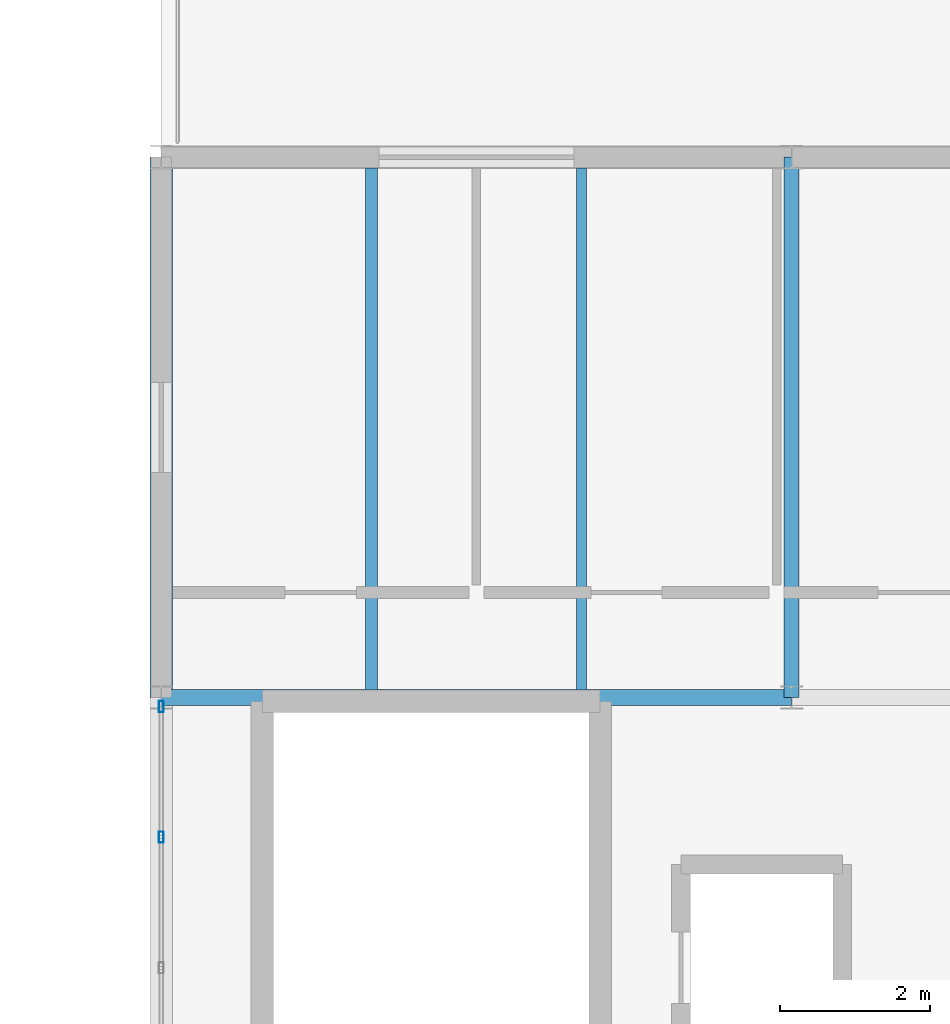
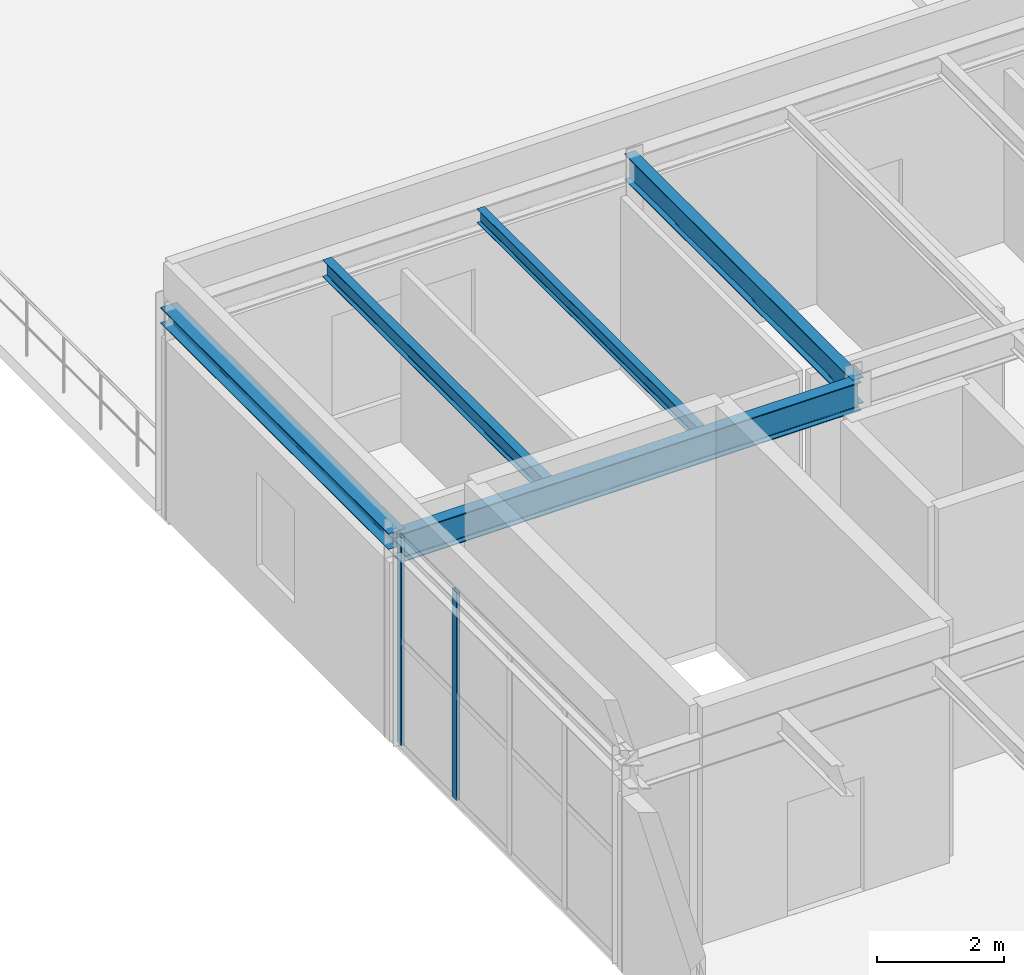
# One storey, part 61 of 77: 5 beams, 2 members, 1 element without a shape of its own.
"""IFC4 building model written with IfcOpenShell, lengths in metres."""

from ifc_helpers import new_model, si_unit, derived_unit, direction, frame, origin, origin_2d, place, context, subcontext, project, spatial, hollow_rectangle, i_section, extrude, material, material_profile, profile_set, type_object, element, aggregate, save


model = new_model("IFC4")

# Units and contexts
model_context = context("Model", 3, precision=1e-05, world=origin(), true_north=direction((0.0, 1.0)))
body_context = subcontext(model_context, "Body", "Model", "MODEL_VIEW")
ifc_project = project(units=[si_unit("LENGTHUNIT", "METRE"), si_unit("AREAUNIT", "SQUARE_METRE"), si_unit("VOLUMEUNIT", "CUBIC_METRE"), si_unit("PLANEANGLEUNIT", "RADIAN"), si_unit("MASSUNIT", "GRAM", prefix="KILO"), derived_unit("THERMALTRANSMITTANCEUNIT", [(si_unit("MASSUNIT", "GRAM", prefix="KILO"), 1), (si_unit("TIMEUNIT", "SECOND"), -3), (si_unit("THERMODYNAMICTEMPERATUREUNIT", "KELVIN"), -1)])], contexts=[model_context])

# Site, building, storey
site_placement = place(None, origin())
site = spatial("IfcSite", under=ifc_project, at=site_placement, CompositionType="ELEMENT")
building_placement = place(site_placement, origin())
building = spatial("IfcBuilding", under=site, at=building_placement, Name="Kharveza Railside Sports Centre", CompositionType="ELEMENT")
storey_placement = place(building_placement, frame((0.0, 0.0, 17.10009765625)))
storey = spatial("IfcBuildingStorey", under=building, at=storey_placement, Name="L04", CompositionType="ELEMENT", Elevation=17.10009765625)

# Beams
ifc_material_1 = material(Name="Steel S355J2", Category="steel")
ifc_material_profile_1 = material_profile(ifc_material_1, i_section(OverallWidth=0.2099609375, OverallDepth=0.550048828125, WebThickness=0.010986328125, FlangeThickness=0.01708984375, FilletRadius=0.02392578125, at=origin_2d()), Name="IPE 550")
ifc_profile_set_1 = profile_set([ifc_material_profile_1], Name="Steel S355J2")
beam_type_1 = type_object("IfcBeamType", Name="BM-G02", PredefinedType="T_BEAM", material=ifc_profile_set_1)
beam_1_placement = place(storey_placement, frame((142.800048828125, 64.800048828125, 3.73486328125), z_axis=(1.0, 0.0, 0.0), x_axis=(0.0, 1.0, 0.0)))
element("IfcBeam", 1, at=beam_1_placement, inside=storey, type_object=beam_type_1, Name="BM-EW-L04-B02-X1428-Y648", PredefinedType="T_BEAM", context=body_context, shape_type="SweptSolid", body=[
    extrude(i_section(OverallWidth=0.2099609375, OverallDepth=0.550048828125, WebThickness=0.010986328125, FlangeThickness=0.01708984375, FilletRadius=0.02392578125, at=origin_2d()), origin(), (0.0, 0.0, 1.0), 8.39990234375),
])
ifc_material_profile_2 = material_profile(ifc_material_1, i_section(OverallWidth=0.199951171875, OverallDepth=0.5, WebThickness=0.01025390625, FlangeThickness=0.01611328125, FilletRadius=0.02099609375, at=origin_2d()), Name="IPE 500")
ifc_profile_set_2 = profile_set([ifc_material_profile_2], Name="Steel S355J2")
beam_type_2 = type_object("IfcBeamType", Name="BM-G03", PredefinedType="T_BEAM", material=ifc_profile_set_2)
beam_2_placement = place(storey_placement, frame((151.199951171875, 64.800048828125, 3.760009765625), z_axis=(0.0, 1.0, 0.0), x_axis=(-1.0, 0.0, 0.0)))
element("IfcBeam", 2, at=beam_2_placement, inside=storey, type_object=beam_type_2, Name="BM-NS-L04-B03-X1512-Y648", PredefinedType="T_BEAM", context=body_context, shape_type="SweptSolid", body=[
    extrude(i_section(OverallWidth=0.199951171875, OverallDepth=0.5, WebThickness=0.01025390625, FlangeThickness=0.01611328125, FilletRadius=0.02099609375, at=origin_2d()), origin(), (0.0, 0.0, 1.0), 7.199951171875),
])
ifc_material_profile_3 = material_profile(ifc_material_1, i_section(OverallWidth=0.159912109375, OverallDepth=0.330078125, WebThickness=0.007568359375, FlangeThickness=0.011474609375, FilletRadius=0.01806640625, at=origin_2d()), Name="IPE 330")
ifc_profile_set_3 = profile_set([ifc_material_profile_3], Name="Steel S355J2")
beam_type_3 = type_object("IfcBeamType", Name="BM-S03", PredefinedType="BEAM", material=ifc_profile_set_3)
beam_3_placement = place(storey_placement, frame((145.60009765625, 64.902099609375, 3.844970703125), z_axis=(0.0, 1.0, 0.0), x_axis=(-1.0, 0.0, 0.0)))
element("IfcBeam", 3, at=beam_3_placement, inside=storey, type_object=beam_type_3, Name="BM-SEC-L04-B11-X1456-Y648", PredefinedType="BEAM", context=body_context, shape_type="SweptSolid", body=[
    extrude(i_section(OverallWidth=0.159912109375, OverallDepth=0.330078125, WebThickness=0.007568359375, FlangeThickness=0.011474609375, FilletRadius=0.01806640625, at=origin_2d()), origin(), (0.0, 0.0, 1.0), 6.950927734375),
])
ifc_material_profile_4 = material_profile(ifc_material_1, i_section(OverallWidth=0.135009765625, OverallDepth=0.27001953125, WebThickness=0.006591796875, FlangeThickness=0.01025390625, FilletRadius=0.014892578125, at=origin_2d()), Name="IPE 270")
ifc_profile_set_4 = profile_set([ifc_material_profile_4], Name="Steel S355J2")
beam_type_4 = type_object("IfcBeamType", Name="BM-S05", PredefinedType="BEAM", material=ifc_profile_set_4)
beam_4_placement = place(storey_placement, frame((148.39990234375, 64.902099609375, 3.875), z_axis=(0.0, 1.0, 0.0), x_axis=(-1.0, 0.0, 0.0)))
element("IfcBeam", 4, at=beam_4_placement, inside=storey, type_object=beam_type_4, Name="BM-SEC-L04-B13-X1484-Y648", PredefinedType="BEAM", context=body_context, shape_type="SweptSolid", body=[
    extrude(i_section(OverallWidth=0.135009765625, OverallDepth=0.27001953125, WebThickness=0.006591796875, FlangeThickness=0.01025390625, FilletRadius=0.014892578125, at=origin_2d()), origin(), (0.0, 0.0, 1.0), 6.950927734375),
])
ifc_material_profile_5 = material_profile(ifc_material_1, i_section(OverallWidth=0.300048828125, OverallDepth=0.31005859375, WebThickness=0.009033203125, FlangeThickness=0.015380859375, FilletRadius=0.027099609375, at=origin_2d()), Name="HEA 320")
ifc_profile_set_5 = profile_set([ifc_material_profile_5], Name="Steel S355J2")
beam_type_5 = type_object("IfcBeamType", Name="BM-S06", PredefinedType="BEAM", material=ifc_profile_set_5)
beam_5_placement = place(storey_placement, frame((142.800048828125, 64.800048828125, 3.85498046875), z_axis=(0.0, 1.0, 0.0), x_axis=(-1.0, 0.0, 0.0)))
element("IfcBeam", 5, at=beam_5_placement, inside=storey, type_object=beam_type_5, Name="BM-NS-L04-B14-X1428-Y648", PredefinedType="BEAM", context=body_context, shape_type="SweptSolid", body=[
    extrude(i_section(OverallWidth=0.300048828125, OverallDepth=0.31005859375, WebThickness=0.009033203125, FlangeThickness=0.015380859375, FilletRadius=0.027099609375, at=origin_2d()), origin(), (0.0, 0.0, 1.0), 7.199951171875),
])

# Curtain wall, members
ifc_material_2 = material(Name="Low-E solar-control laminated glass", Category="glass")
curtain_wall_type = type_object("IfcCurtainWallType", Name="CW-WG04", PredefinedType="NOTDEFINED", material=ifc_material_2)
curtain_wall_placement = place(storey_placement, origin())
curtain_wall = element("IfcCurtainWall", 6, at=curtain_wall_placement, inside=storey, type_object=curtain_wall_type, Name="CW-WG-L04-CW-WG04-X1428-Y612", PredefinedType="NOTDEFINED")
ifc_material_3 = material(Name="Anodised aluminium 6063-T6", Category="aluminium")
ifc_material_profile_6 = material_profile(ifc_material_3, hollow_rectangle(XDim=0.06494140625, YDim=0.14990234375, WallThickness=0.0048828125, InnerFilletRadius=0.0048828125, OuterFilletRadius=0.010009765625, at=origin_2d()), Name="RHS 65x150x5.0")
ifc_profile_set_6 = profile_set([ifc_material_profile_6], Name="Anodised aluminium 6063-T6")
member_type = type_object("IfcMemberType", Name="CW-ML04", PredefinedType="MULLION", material=ifc_profile_set_6)
member_1_placement = place(storey_placement, frame((142.800048828125, 64.679931640625, 0.0), z_axis=(0.0, 0.0, 1.0), x_axis=(1.0, 0.0, 0.0)))
member_1 = element("IfcMember", 7, at=member_1_placement, type_object=member_type, Name="CW-WG-L04-CW-WG04-X1428-Y612-ML1", PredefinedType="MULLION", context=body_context, shape_type="SweptSolid", body=[
    extrude(hollow_rectangle(XDim=0.06494140625, YDim=0.14990234375, WallThickness=0.0048828125, InnerFilletRadius=0.0048828125, OuterFilletRadius=0.010009765625, at=origin_2d()), origin(), (0.0, 0.0, 1.0), 4.010009765625),
])
member_2_placement = place(storey_placement, frame((142.800048828125, 62.93994140625, 0.0), z_axis=(0.0, 0.0, 1.0), x_axis=(1.0, 0.0, 0.0)))
member_2 = element("IfcMember", 8, at=member_2_placement, type_object=member_type, Name="CW-WG-L04-CW-WG04-X1428-Y612-ML2", PredefinedType="MULLION", context=body_context, shape_type="SweptSolid", body=[
    extrude(hollow_rectangle(XDim=0.06494140625, YDim=0.14990234375, WallThickness=0.0048828125, InnerFilletRadius=0.0048828125, OuterFilletRadius=0.010009765625, at=origin_2d()), origin(), (0.0, 0.0, 1.0), 4.010009765625),
])
aggregate(curtain_wall, [member_1, member_2])

save(model, "model.ifc")
